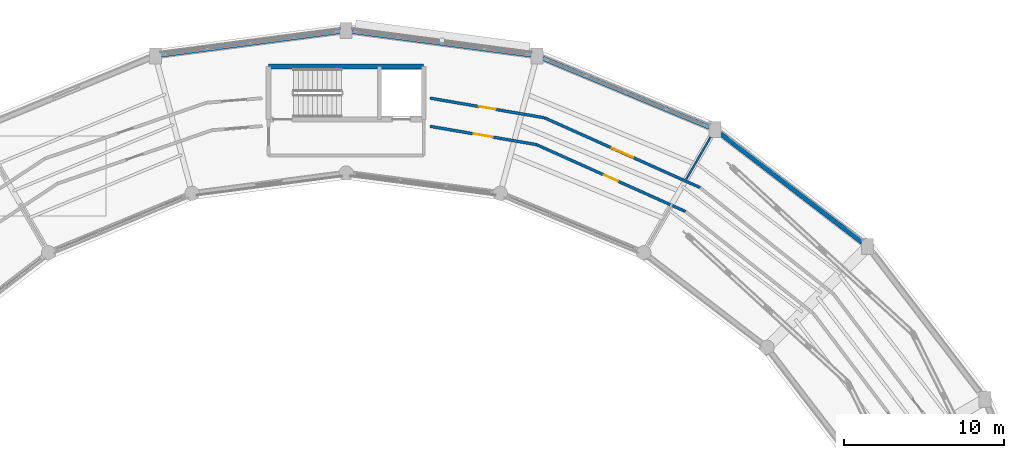
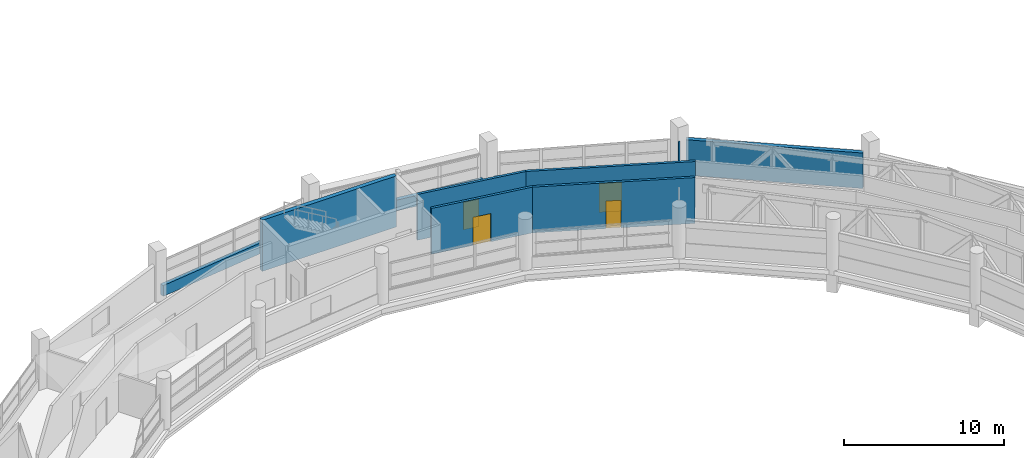
# One storey, part 105 of 121: 10 walls, 4 doors, 4 openings.
"""IFC4 building model written with IfcOpenShell, lengths in metres."""

from ifc_helpers import new_model, si_unit, direction, frame, frame_2d, origin, place, context, subcontext, project, spatial, rectangle, extrude, material, layer, layer_set, type_object, element, fill, save


model = new_model("IFC4")

# Units and contexts
model_context = context("Model", 3, precision=1e-05, world=origin(), true_north=direction((0.0, 1.0)))
body_context = subcontext(model_context, "Body", "Model", "MODEL_VIEW")
ifc_project = project(units=[si_unit("LENGTHUNIT", "METRE"), si_unit("AREAUNIT", "SQUARE_METRE"), si_unit("VOLUMEUNIT", "CUBIC_METRE"), si_unit("PLANEANGLEUNIT", "RADIAN"), si_unit("MASSUNIT", "GRAM", prefix="KILO")], contexts=[model_context])

# Site, building, storey
site_placement = place(None, origin())
site = spatial("IfcSite", under=ifc_project, at=site_placement, CompositionType="ELEMENT")
building_placement = place(site_placement, origin())
building = spatial("IfcBuilding", under=site, at=building_placement, Name="Vespera Passage Community Centre", CompositionType="ELEMENT")
storey_placement = place(building_placement, frame((0.0, 0.0, 8.699951171875)))
storey = spatial("IfcBuildingStorey", under=building, at=storey_placement, Name="L02", CompositionType="ELEMENT", Elevation=8.699951171875)

# Wall
ifc_material_1 = material(Name="Concrete f'c 45 MPa", Category="concrete")
ifc_layer_1 = layer(ifc_material_1, 0.300048828125)
ifc_layer_set_1 = layer_set([ifc_layer_1], Name="Concrete f'c 45 MPa")
wall_type_1 = type_object("IfcWallType", Name="WT-CORE-300I", PredefinedType="SHEAR", material=ifc_layer_set_1)
wall_1_placement = place(storey_placement, frame((73.155029296875, 109.35009765625, 0.0), z_axis=(0.0, 0.0, 1.0), x_axis=(1.0, 0.0, 0.0)))
element("IfcWall", 1, at=wall_1_placement, inside=storey, type_object=wall_type_1, Name="Core C4 L02 Shear Wall BACK", PredefinedType="SHEAR", context=body_context, shape_type="SweptSolid", body=[
    extrude(rectangle(XDim=9.68994140625, YDim=0.300048828125, at=frame_2d((4.844970703125, 0.0))), origin(), (0.0, 0.0, 1.0), 3.900146484375),
])

# Wall, opening, door
ifc_material_2 = material(Name="Gypsum board acoustic stud partition")
ifc_layer_2 = layer(ifc_material_2, 0.179931640625)
ifc_layer_set_2 = layer_set([ifc_layer_2], Name="Gypsum board acoustic stud partition")
wall_type_2 = type_object("IfcWallType", Name="WT-CORR-180I", PredefinedType="PARTITIONING", material=ifc_layer_set_2)
wall_2_placement = place(storey_placement, frame((100.119873046875, 101.7900390625, 0.0), z_axis=(0.0, 0.0, 1.0), x_axis=(-0.912414084207, 0.409268297015, 0.0)))
wall_2 = element("IfcWall", 2, at=wall_2_placement, inside=storey, type_object=wall_type_2, Name="L02 Interior Partition V4-L02-CO05.1", PredefinedType="PARTITIONING", context=body_context, shape_type="SweptSolid", body=[
    extrude(rectangle(XDim=10.659912109375, YDim=0.179931640625, at=frame_2d((5.330078125, 0.0))), origin(), (0.0, 0.0, 1.0), 3.4951171875),
])
opening_1_placement = place(wall_2_placement, frame((4.60498046875, 0.0, 0.0)))
opening_1 = element("IfcOpeningElement", 3, at=opening_1_placement, cuts=wall_2, Name="Opening DT-PLANT-145", PredefinedType="OPENING", context=body_context, shape_type="SweptSolid", body=[
    extrude(rectangle(XDim=1.449951171875, YDim=2.199951171875, at=frame_2d((0.72509765625, 1.10009765625))), frame((0.0, 0.099853515625, 0.0), z_axis=(0.0, -1.0, 0.0), x_axis=(1.0, 0.0, 0.0)), (0.0, 0.0, 1.0), 0.199951171875),
])
ifc_material_3 = material(Name="Painted hollow-metal acoustic door", Category="steel")
door_type_1 = type_object("IfcDoorType", Name="DT-PLANT-145", OperationType="NOTDEFINED", PredefinedType="DOOR", material=ifc_material_3)
door_1_placement = place(opening_1_placement, origin())
door_1 = element("IfcDoor", 4, at=door_1_placement, inside=storey, type_object=door_type_1, Name="L02 Interior Door D-188", OperationType="SINGLE_SWING_RIGHT", OverallHeight=2.199951171875, OverallWidth=1.449951171875, PredefinedType="DOOR", context=body_context, shape_type="SweptSolid", body=[
    extrude(rectangle(XDim=1.449951171875, YDim=2.199951171875, at=frame_2d((0.72509765625, 1.10009765625))), frame((0.0, 0.02490234375, 0.0), z_axis=(0.0, -1.0, 0.0), x_axis=(1.0, 0.0, 0.0)), (0.0, 0.0, 1.0), 0.050048828125),
])
fill(opening_1, door_1)

wall_3_placement = place(storey_placement, frame((99.208984375, 100.295654296875, 0.0), z_axis=(0.0, 0.0, 1.0), x_axis=(-0.912404455482, 0.409289762414, 0.0)))
wall_3 = element("IfcWall", 5, at=wall_3_placement, inside=storey, type_object=wall_type_2, Name="L02 Interior Partition V4-L02-CI05.1", PredefinedType="PARTITIONING", context=body_context, shape_type="SweptSolid", body=[
    extrude(rectangle(XDim=10.220947265625, YDim=0.179931640625, at=frame_2d((5.1103515625, 0.0))), origin(), (0.0, 0.0, 1.0), 3.4951171875),
])
opening_2_placement = place(wall_3_placement, frame((4.635498046875, 0.0, 0.0)))
opening_2 = element("IfcOpeningElement", 6, at=opening_2_placement, cuts=wall_3, Name="Opening DT-CORR-95", PredefinedType="OPENING", context=body_context, shape_type="SweptSolid", body=[
    extrude(rectangle(XDim=0.949951171875, YDim=2.10009765625, at=frame_2d((0.47509765625, 1.050048828125))), frame((0.0, 0.099853515625, 0.0), z_axis=(0.0, -1.0, 0.0), x_axis=(1.0, 0.0, 0.0)), (0.0, 0.0, 1.0), 0.199951171875),
])
ifc_material_4 = material(Name="Painted hollow-metal acoustic door", Category="steel")
door_type_2 = type_object("IfcDoorType", Name="DT-CORR-95", OperationType="NOTDEFINED", PredefinedType="DOOR", material=ifc_material_4)
door_2_placement = place(opening_2_placement, origin())
door_2 = element("IfcDoor", 7, at=door_2_placement, inside=storey, type_object=door_type_2, Name="L02 Interior Door D-189", OperationType="SINGLE_SWING_LEFT", OverallHeight=2.10009765625, OverallWidth=0.949951171875, PredefinedType="DOOR", context=body_context, shape_type="SweptSolid", body=[
    extrude(rectangle(XDim=0.949951171875, YDim=2.10009765625, at=frame_2d((0.47509765625, 1.050048828125))), frame((0.0, 0.02490234375, 0.0), z_axis=(0.0, -1.0, 0.0), x_axis=(1.0, 0.0, 0.0)), (0.0, 0.0, 1.0), 0.050048828125),
])
fill(opening_2, door_2)

wall_4_placement = place(storey_placement, frame((90.3935546875, 106.15283203125, 0.0), z_axis=(0.0, 0.0, 1.0), x_axis=(-0.985557318444, 0.169342174491, 0.0)))
wall_4 = element("IfcWall", 8, at=wall_4_placement, inside=storey, type_object=wall_type_2, Name="L02 Interior Partition V4-L02-CO06.1", PredefinedType="PARTITIONING", context=body_context, shape_type="SweptSolid", body=[
    extrude(rectangle(XDim=7.253173828125, YDim=0.179931640625, at=frame_2d((3.62646484375, 0.0))), origin(), (0.0, 0.0, 1.0), 3.4951171875),
])
opening_3_placement = place(wall_4_placement, frame((3.101806640625, 0.0, 0.0)))
opening_3 = element("IfcOpeningElement", 9, at=opening_3_placement, cuts=wall_4, Name="Opening DT-CORR-105", PredefinedType="OPENING", context=body_context, shape_type="SweptSolid", body=[
    extrude(rectangle(XDim=1.050048828125, YDim=2.10009765625, at=frame_2d((0.52490234375, 1.050048828125))), frame((0.0, 0.099853515625, 0.0), z_axis=(0.0, -1.0, 0.0), x_axis=(1.0, 0.0, 0.0)), (0.0, 0.0, 1.0), 0.199951171875),
])
ifc_material_5 = material(Name="Painted hollow-metal acoustic door", Category="steel")
door_type_3 = type_object("IfcDoorType", Name="DT-CORR-105", OperationType="NOTDEFINED", PredefinedType="DOOR", material=ifc_material_5)
door_3_placement = place(opening_3_placement, origin())
door_3 = element("IfcDoor", 10, at=door_3_placement, inside=storey, type_object=door_type_3, Name="L02 Interior Door D-190", OperationType="SINGLE_SWING_RIGHT", OverallHeight=2.10009765625, OverallWidth=1.050048828125, PredefinedType="DOOR", context=body_context, shape_type="SweptSolid", body=[
    extrude(rectangle(XDim=1.050048828125, YDim=2.10009765625, at=frame_2d((0.52490234375, 1.050048828125))), frame((0.0, 0.02490234375, 0.0), z_axis=(0.0, -1.0, 0.0), x_axis=(1.0, 0.0, 0.0)), (0.0, 0.0, 1.0), 0.050048828125),
])
fill(opening_3, door_3)

wall_5_placement = place(storey_placement, frame((89.88330078125, 104.47900390625, 0.0), z_axis=(0.0, 0.0, 1.0), x_axis=(-0.98556269187, 0.169310898629, 0.0)))
wall_5 = element("IfcWall", 11, at=wall_5_placement, inside=storey, type_object=wall_type_2, Name="L02 Interior Partition V4-L02-CI06.1", PredefinedType="PARTITIONING", context=body_context, shape_type="SweptSolid", body=[
    extrude(rectangle(XDim=6.7353515625, YDim=0.179931640625, at=frame_2d((3.36767578125, 0.0))), origin(), (0.0, 0.0, 1.0), 3.4951171875),
])
opening_4_placement = place(wall_5_placement, frame((2.767578125, 0.0, 0.0)))
opening_4 = element("IfcOpeningElement", 12, at=opening_4_placement, cuts=wall_5, Name="Opening DT-CORR-120", PredefinedType="OPENING", context=body_context, shape_type="SweptSolid", body=[
    extrude(rectangle(XDim=1.199951171875, YDim=2.14990234375, at=frame_2d((0.60009765625, 1.074951171875))), frame((0.0, 0.099853515625, 0.0), z_axis=(0.0, -1.0, 0.0), x_axis=(1.0, 0.0, 0.0)), (0.0, 0.0, 1.0), 0.199951171875),
])
ifc_material_6 = material(Name="Painted hollow-metal acoustic door", Category="steel")
door_type_4 = type_object("IfcDoorType", Name="DT-CORR-120", OperationType="NOTDEFINED", PredefinedType="DOOR", material=ifc_material_6)
door_4_placement = place(opening_4_placement, origin())
door_4 = element("IfcDoor", 13, at=door_4_placement, inside=storey, type_object=door_type_4, Name="L02 Interior Door D-191", OperationType="SINGLE_SWING_LEFT", OverallHeight=2.14990234375, OverallWidth=1.199951171875, PredefinedType="DOOR", context=body_context, shape_type="SweptSolid", body=[
    extrude(rectangle(XDim=1.199951171875, YDim=2.14990234375, at=frame_2d((0.60009765625, 1.074951171875))), frame((0.0, 0.02490234375, 0.0), z_axis=(0.0, -1.0, 0.0), x_axis=(1.0, 0.0, 0.0)), (0.0, 0.0, 1.0), 0.050048828125),
])
fill(opening_4, door_4)

# Walls
ifc_material_7 = material(Name="Precast concrete f'c 40 MPa", Category="concrete")
ifc_layer_3 = layer(ifc_material_7, 0.280029296875)
ifc_layer_set_3 = layer_set([ifc_layer_3], Name="Precast concrete f'c 40 MPa")
wall_type_3 = type_object("IfcWallType", Name="WT-EXT-280E", PredefinedType="STANDARD", material=ifc_layer_set_3)
wall_6_placement = place(storey_placement, frame((101.4052734375, 105.1513671875, 0.0), z_axis=(0.0, 0.0, 1.0), x_axis=(0.793342066679, -0.608776120785, 0.0)))
element("IfcWall", 14, at=wall_6_placement, inside=storey, type_object=wall_type_3, Name="V4 L02 Outer Precast Wall 3", PredefinedType="STANDARD", context=body_context, shape_type="SweptSolid", body=[
    extrude(rectangle(XDim=11.13916015625, YDim=0.280029296875, at=frame_2d((5.569580078125, 0.0))), origin(), (0.0, 0.0, 1.0), 2.70556640625),
])
wall_7_placement = place(storey_placement, frame((90.283447265625, 109.88330078125, 0.0), z_axis=(0.0, 0.0, 1.0), x_axis=(0.923883530636, -0.382673779896, 0.0)))
element("IfcWall", 15, at=wall_7_placement, inside=storey, type_object=wall_type_3, Name="V4 L02 Spandrel Wall O4", PredefinedType="STANDARD", context=body_context, shape_type="SweptSolid", body=[
    extrude(rectangle(XDim=11.2724609375, YDim=0.280029296875, at=frame_2d((5.63623046875, 0.0))), origin(), (0.0, 0.0, 1.0), 0.820068359375),
])
for number, where, z_axis, x_axis, name in (
    (16, (78.35009765625, 111.553955078125, 0.0), (0.0, 0.0, 1.0), (0.991443215359, -0.130538694334, 0.0), "V4 L02 Spandrel Wall O5"),
    (17, (66.418701171875, 110.0751953125, 0.0), (0.0, 0.0, 1.0), (0.991443215359, 0.130538694334, 0.0), "V4 L02 Spandrel Wall O6"),
):
    element("IfcWall", number, at=place(storey_placement, frame(where, z_axis=z_axis, x_axis=x_axis)), inside=storey, type_object=wall_type_3, Name=name, PredefinedType="STANDARD", context=body_context, shape_type="SweptSolid", body=[
        extrude(rectangle(XDim=11.328125, YDim=0.280029296875, at=frame_2d((5.6640625, 0.0))), origin(), (0.0, 0.0, 1.0), 0.820068359375),
    ])
ifc_material_8 = material(Name="Moisture-resistant gypsum stud partition")
ifc_layer_4 = layer(ifc_material_8, 0.1201171875)
ifc_layer_set_4 = layer_set([ifc_layer_4], Name="Moisture-resistant gypsum stud partition")
wall_type_4 = type_object("IfcWallType", Name="WT-WET-120I", PredefinedType="PARTITIONING", material=ifc_layer_set_4)
wall_8_placement = place(storey_placement, frame((99.25, 102.30615234375, 0.0), z_axis=(0.0, 0.0, 1.0), x_axis=(0.499978833458, 0.866037623948, 0.0)))
element("IfcWall", 18, at=wall_8_placement, inside=storey, type_object=wall_type_4, Name="L02 Interior Partition V4-L02-RO11-2.1", PredefinedType="PARTITIONING", context=body_context, shape_type="SweptSolid", body=[
    extrude(rectangle(XDim=3.050048828125, YDim=0.1201171875, at=frame_2d((1.52490234375, 0.0))), origin(), (0.0, 0.0, 1.0), 2.856689453125),
])

save(model, "model.ifc")
